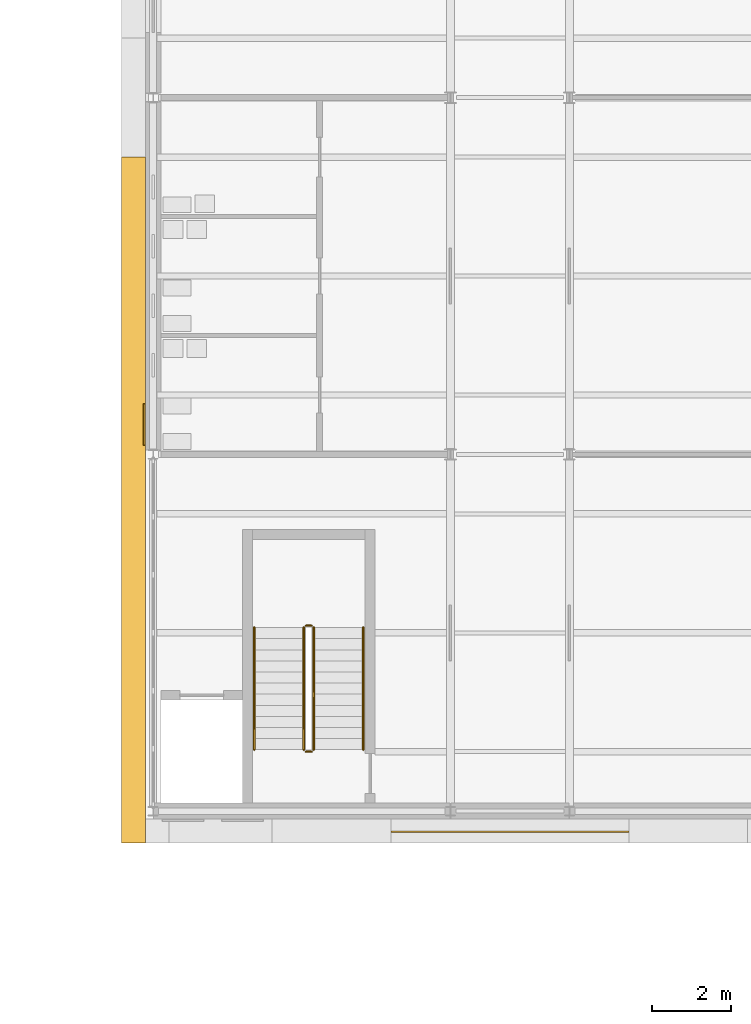
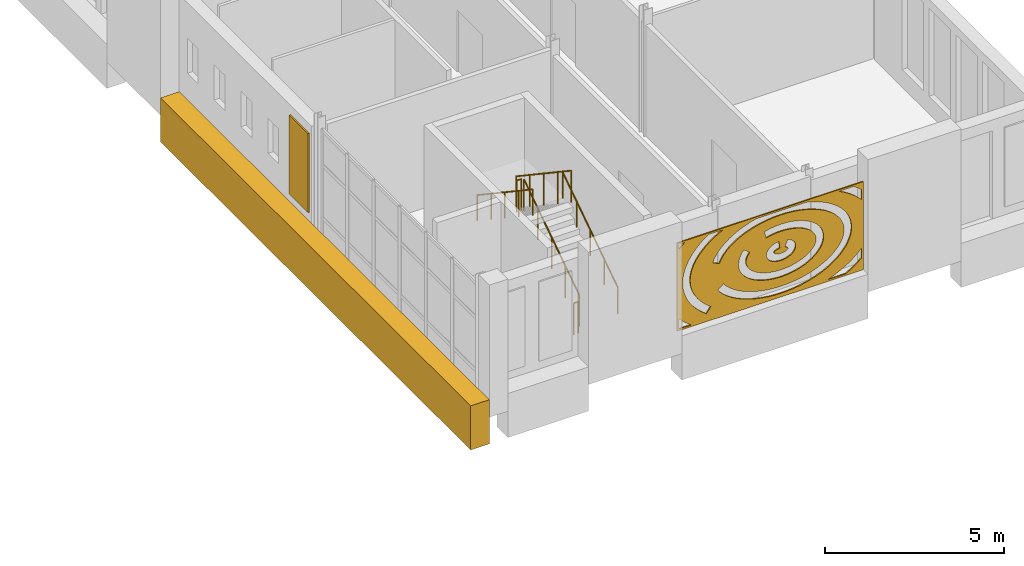
# One storey, part 109 of 131: 6 railings, 3 coverings.
"""IFC4 building model written with IfcOpenShell, lengths in metres."""

from ifc_helpers import new_model, si_unit, direction, frame, origin, origin_2d, place, context, subcontext, project, spatial, polyline, circle, outline, extrude, material, layer, layer_set, type_object, element, save


model = new_model("IFC4")

# Units and contexts
model_context = context("Model", 3, precision=1e-05, world=origin(), true_north=direction((0.0, 1.0)))
body_context = subcontext(model_context, "Body", "Model", "MODEL_VIEW")
ifc_project = project(units=[si_unit("LENGTHUNIT", "METRE"), si_unit("AREAUNIT", "SQUARE_METRE"), si_unit("VOLUMEUNIT", "CUBIC_METRE"), si_unit("PLANEANGLEUNIT", "RADIAN"), si_unit("MASSUNIT", "GRAM", prefix="KILO")], contexts=[model_context])

# Site, building, storey
site_placement = place(None, origin())
site = spatial("IfcSite", under=ifc_project, at=site_placement, CompositionType="ELEMENT")
building_placement = place(site_placement, origin())
building = spatial("IfcBuilding", under=site, at=building_placement, Name="Golden Quay Civic Hall", CompositionType="ELEMENT")
storey_placement = place(building_placement, frame((0.0, 0.0, 9.89990234375)))
storey = spatial("IfcBuildingStorey", under=building, at=storey_placement, Name="L02", CompositionType="ELEMENT", Elevation=9.89990234375)

# Covering
ifc_material_1 = material(Name="Aluminium, golden anodised, perforated", Category="aluminium")
ifc_layer_1 = layer(ifc_material_1, 0.0400390625)
ifc_layer_set_1 = layer_set([ifc_layer_1], Name="Perforated screen panel 6000 x 3000 x 40")
covering_type_1 = type_object("IfcCoveringType", Name="Perforated screen panel 6000 x 3000 x 40", PredefinedType="CLADDING", material=ifc_layer_set_1)
covering_1_placement = place(storey_placement, frame((63.0, -0.5, 2.10009765625), z_axis=(0.0, -1.0, 0.0), x_axis=(1.0, 0.0, 0.0)))
element("IfcCovering", 1, at=covering_1_placement, inside=storey, type_object=covering_type_1, Name="Perforated screen panel 6000 x 3000 x 40 L02 8", PredefinedType="CLADDING", context=body_context, shape_type="SweptSolid", body=[
    extrude(outline(polyline([(-3.0, -1.5), (3.0, -1.5), (3.0, 1.5), (-3.0, 1.5), (-3.0, -1.5)]), holes=[polyline([(0.258056640625, 0.16650390625), (0.1943359375, 0.14599609375), (0.162109375, 0.12841796875), (0.139404296875, 0.110595703125), (0.126708984375, 0.095458984375), (0.120849609375, 0.080078125), (0.1259765625, 0.065673828125), (0.1376953125, 0.051025390625), (0.174072265625, 0.0244140625), (0.210205078125, 0.007568359375), (0.277587890625, -0.010498046875), (0.327880859375, -0.015869140625), (0.379150390625, -0.015380859375), (0.45263671875, -0.004150390625), (0.495361328125, 0.009765625), (0.544189453125, 0.035888671875), (0.564453125, 0.05322265625), (0.574951171875, 0.0673828125), (0.5791015625, 0.07861328125), (0.57568359375, 0.09130859375), (0.55810546875, 0.11279296875), (0.5341796875, 0.130859375), (0.4765625, 0.1572265625), (0.562744140625, 0.38232421875), (0.633056640625, 0.351806640625), (0.68798828125, 0.317626953125), (0.742431640625, 0.269287109375), (0.77392578125, 0.22900390625), (0.801513671875, 0.176513671875), (0.816650390625, 0.123291015625), (0.81982421875, 0.064697265625), (0.810302734375, 0.009521484375), (0.797607421875, -0.02587890625), (0.780517578125, -0.05859375), (0.759765625, -0.0888671875), (0.735595703125, -0.1162109375), (0.708984375, -0.14111328125), (0.6572265625, -0.177978515625), (0.581298828125, -0.21533203125), (0.54541015625, -0.22802734375), (0.477294921875, -0.245361328125), (0.3916015625, -0.256103515625), (0.319091796875, -0.256591796875), (0.272705078125, -0.2529296875), (0.2021484375, -0.240966796875), (0.164794921875, -0.231201171875), (0.093505859375, -0.20458984375), (0.0283203125, -0.1689453125), (-0.02880859375, -0.123291015625), (-0.06201171875, -0.085693359375), (-0.093505859375, -0.034912109375), (-0.1123046875, 0.016357421875), (-0.1201171875, 0.074462890625), (-0.115234375, 0.130615234375), (-0.097412109375, 0.186767578125), (-0.0712890625, 0.23291015625), (-0.03271484375, 0.279296875), (0.025390625, 0.326904296875), (0.066162109375, 0.351318359375), (0.135009765625, 0.381591796875), (0.201904296875, 0.40087890625), (0.27978515625, 0.413818359375), (0.310546875, 0.1748046875), (0.258056640625, 0.16650390625)]), polyline([(-0.724609375, 0.27685546875), (-0.746826171875, 0.232421875), (-0.76318359375, 0.187744140625), (-0.773681640625, 0.143310546875), (-0.77880859375, 0.09912109375), (-0.778564453125, 0.05517578125), (-0.772705078125, 0.010986328125), (-0.761474609375, -0.033447265625), (-0.744384765625, -0.078125), (-0.721435546875, -0.122802734375), (-0.6923828125, -0.167236328125), (-0.6572265625, -0.211181640625), (-0.61572265625, -0.254150390625), (-0.568603515625, -0.2958984375), (-0.515380859375, -0.3359375), (-0.456787109375, -0.373779296875), (-0.392822265625, -0.409423828125), (-0.32421875, -0.44189453125), (-0.251220703125, -0.4716796875), (-0.17431640625, -0.497802734375), (-0.093994140625, -0.5205078125), (-0.010986328125, -0.539306640625), (0.07470703125, -0.55419921875), (0.161865234375, -0.565185546875), (0.250244140625, -0.572021484375), (0.339599609375, -0.574462890625), (0.4287109375, -0.572998046875), (0.517333984375, -0.567138671875), (0.60498046875, -0.55712890625), (0.69091796875, -0.543212890625), (0.774658203125, -0.525146484375), (0.855712890625, -0.50341796875), (0.933349609375, -0.47802734375), (1.00732421875, -0.44921875), (1.0771484375, -0.417236328125), (1.14208984375, -0.382568359375), (1.201904296875, -0.34521484375), (1.256591796875, -0.305419921875), (1.30517578125, -0.26416015625), (1.347900390625, -0.221435546875), (1.384521484375, -0.177490234375), (1.4150390625, -0.13330078125), (1.439453125, -0.088623046875), (1.4580078125, -0.0439453125), (1.470458984375, 0.00048828125), (1.4775390625, 0.044677734375), (1.479248046875, 0.0888671875), (1.475341796875, 0.1328125), (1.46630859375, 0.17724609375), (1.451171875, 0.2216796875), (1.430419921875, 0.266357421875), (1.40380859375, 0.310791015625), (1.370849609375, 0.35498046875), (1.331787109375, 0.3984375), (1.28662109375, 0.44091796875), (1.235595703125, 0.4814453125), (1.178955078125, 0.520263671875), (1.116943359375, 0.556640625), (1.0498046875, 0.59033203125), (0.978515625, 0.62109375), (0.90283203125, 0.648681640625), (0.82373046875, 0.672607421875), (0.74169921875, 0.69287109375), (0.656982421875, 0.709228515625), (0.5703125, 0.7216796875), (0.482177734375, 0.72998046875), (0.393310546875, 0.73388671875), (0.303955078125, 0.73388671875), (0.215087890625, 0.729736328125), (0.126953125, 0.72119140625), (0.040283203125, 0.708740234375), (-0.044189453125, 0.692138671875), (-0.12939453125, 0.671142578125), (-0.1875, 0.90478515625), (-0.093505859375, 0.927978515625), (0.0029296875, 0.94677734375), (0.101318359375, 0.960693359375), (0.195068359375, 0.9697265625), (0.29541015625, 0.974609375), (0.39599609375, 0.974853515625), (0.49609375, 0.970458984375), (0.595703125, 0.961181640625), (0.69970703125, 0.9462890625), (0.790283203125, 0.9287109375), (0.884521484375, 0.90576171875), (0.975830078125, 0.878173828125), (1.0703125, 0.84375), (1.1484375, 0.810302734375), (1.228759765625, 0.77001953125), (1.304443359375, 0.725830078125), (1.375244140625, 0.677978515625), (1.4404296875, 0.626220703125), (1.50732421875, 0.5634765625), (1.560546875, 0.50341796875), (1.600341796875, 0.4501953125), (1.64013671875, 0.385009765625), (1.672607421875, 0.317138671875), (1.700439453125, 0.2333984375), (1.71484375, 0.16064453125), (1.72021484375, 0.08740234375), (1.716552734375, 0.013916015625), (1.7041015625, -0.05859375), (1.68310546875, -0.129638671875), (1.65966796875, -0.1865234375), (1.62353515625, -0.254150390625), (1.572998046875, -0.327880859375), (1.522216796875, -0.387939453125), (1.46484375, -0.444580078125), (1.408935546875, -0.4921875), (1.333251953125, -0.54736328125), (1.259521484375, -0.593017578125), (1.1875, -0.63134765625), (1.09814453125, -0.672607421875), (1.011474609375, -0.7060546875), (0.921142578125, -0.7353515625), (0.833984375, -0.7587890625), (0.732666015625, -0.780517578125), (0.635009765625, -0.796142578125), (0.54150390625, -0.806884765625), (0.435791015625, -0.813720703125), (0.341064453125, -0.8154296875), (0.240478515625, -0.8125), (0.135009765625, -0.804443359375), (0.041748046875, -0.79296875), (-0.055419921875, -0.776123046875), (-0.150390625, -0.754638671875), (-0.242919921875, -0.728759765625), (-0.33837890625, -0.696044921875), (-0.41796875, -0.6640625), (-0.499755859375, -0.625244140625), (-0.583984375, -0.578369140625), (-0.64990234375, -0.535888671875), (-0.71728515625, -0.485595703125), (-0.7861328125, -0.424560546875), (-0.834716796875, -0.3740234375), (-0.884033203125, -0.313232421875), (-0.9326171875, -0.23828125), (-0.961669921875, -0.182373046875), (-0.989013671875, -0.113037109375), (-1.010498046875, -0.027587890625), (-1.018310546875, 0.031005859375), (-1.019775390625, 0.1044921875), (-1.009765625, 0.192138671875), (-0.99169921875, 0.263916015625), (-0.970703125, 0.3212890625), (-0.931396484375, 0.400634765625), (-0.889892578125, 0.465087890625), (-0.8486328125, 0.51806640625), (-0.65869140625, 0.36962890625), (-0.696533203125, 0.3212890625), (-0.724609375, 0.27685546875)]), polyline([(-1.382568359375, -0.546630859375), (-1.3115234375, -0.611572265625), (-1.2333984375, -0.673828125), (-1.1484375, -0.7333984375), (-1.05712890625, -0.789794921875), (-0.959716796875, -0.843017578125), (-0.856201171875, -0.89208984375), (-0.747802734375, -0.937255859375), (-0.634521484375, -0.978271484375), (-0.51708984375, -1.0146484375), (-0.3955078125, -1.04638671875), (-0.27099609375, -1.073486328125), (-0.143798828125, -1.095703125), (-0.014404296875, -1.112548828125), (0.11669921875, -1.12451171875), (0.248779296875, -1.131103515625), (0.38134765625, -1.13232421875), (0.513671875, -1.12841796875), (0.645263671875, -1.119384765625), (0.775634765625, -1.105224609375), (0.904052734375, -1.085693359375), (1.0302734375, -1.061279296875), (1.1533203125, -1.031982421875), (1.27294921875, -0.998046875), (1.388671875, -0.95947265625), (1.499755859375, -0.91650390625), (1.605712890625, -0.869384765625), (1.706298828125, -0.818359375), (1.801025390625, -0.763671875), (1.889404296875, -0.705810546875), (1.97119140625, -0.644775390625), (2.0458984375, -0.581298828125), (2.113525390625, -0.51513671875), (2.173583984375, -0.447509765625), (2.22607421875, -0.3779296875), (2.270751953125, -0.307373046875), (2.3076171875, -0.236083984375), (2.3369140625, -0.163818359375), (2.3583984375, -0.091552734375), (2.37255859375, -0.018798828125), (2.37890625, 0.0537109375), (2.3779296875, 0.12646484375), (2.369384765625, 0.19921875), (2.353271484375, 0.271728515625), (2.32958984375, 0.343994140625), (2.298095703125, 0.416015625), (2.259033203125, 0.4873046875), (2.212158203125, 0.5576171875), (2.157470703125, 0.62646484375), (2.095458984375, 0.69384765625), (2.02587890625, 0.75927734375), (1.94921875, 0.822021484375), (1.865478515625, 0.882080078125), (1.775146484375, 0.939208984375), (1.6787109375, 0.992919921875), (1.57666015625, 1.04296875), (1.468994140625, 1.0888671875), (1.356689453125, 1.130615234375), (1.239990234375, 1.168212890625), (1.119384765625, 1.20068359375), (0.995361328125, 1.228759765625), (0.868408203125, 1.251708984375), (0.739501953125, 1.269775390625), (0.608642578125, 1.282470703125), (0.476806640625, 1.2900390625), (0.34423828125, 1.29248046875), (0.2119140625, 1.289794921875), (0.080078125, 1.281494140625), (-0.05078125, 1.268310546875), (-0.1796875, 1.25), (-0.30615234375, 1.2265625), (-0.429931640625, 1.197998046875), (-0.55029296875, 1.1650390625), (-0.666748046875, 1.127197265625), (-0.77880859375, 1.085205078125), (-0.8857421875, 1.038818359375), (-0.9873046875, 0.988525390625), (-1.083251953125, 0.9345703125), (-1.173095703125, 0.877197265625), (-1.256103515625, 0.816650390625), (-1.33203125, 0.753662109375), (-1.401123046875, 0.68798828125), (-1.462646484375, 0.62060546875), (-1.5166015625, 0.551513671875), (-1.562744140625, 0.481201171875), (-1.60107421875, 0.409912109375), (-1.634033203125, 0.33251953125), (-1.855712890625, 0.42724609375), (-1.81591796875, 0.519287109375), (-1.766845703125, 0.60888671875), (-1.70947265625, 0.69580078125), (-1.649658203125, 0.7724609375), (-1.576171875, 0.853515625), (-1.4951171875, 0.930908203125), (-1.40673828125, 1.004638671875), (-1.311767578125, 1.07421875), (-1.210205078125, 1.13916015625), (-1.102783203125, 1.199951171875), (-0.98974609375, 1.256103515625), (-0.87158203125, 1.307373046875), (-0.748779296875, 1.353759765625), (-0.6220703125, 1.39501953125), (-0.452880859375, 1.43994140625), (1.153564453125, 1.43994140625), (1.310791015625, 1.398193359375), (1.432861328125, 1.359375), (1.555908203125, 1.313720703125), (1.67431640625, 1.26318359375), (1.78759765625, 1.2080078125), (1.895263671875, 1.148193359375), (1.997314453125, 1.083984375), (2.0927734375, 1.015380859375), (2.181640625, 0.94287109375), (2.269287109375, 0.8603515625), (2.337646484375, 0.78662109375), (2.404052734375, 0.703125), (2.46240234375, 0.61669921875), (2.511962890625, 0.527099609375), (2.556640625, 0.424560546875), (2.583984375, 0.34130859375), (2.605712890625, 0.245361328125), (2.61865234375, 0.13623046875), (2.619384765625, 0.038818359375), (2.610107421875, -0.058349609375), (2.591064453125, -0.154541015625), (2.566162109375, -0.23828125), (2.52880859375, -0.331787109375), (2.47705078125, -0.431884765625), (2.421142578125, -0.519287109375), (2.36279296875, -0.596435546875), (2.284912109375, -0.6845703125), (2.205078125, -0.761962890625), (2.118408203125, -0.835693359375), (2.030517578125, -0.90087890625), (1.92431640625, -0.970703125), (1.818115234375, -1.03173828125), (1.706298828125, -1.08837890625), (1.5947265625, -1.1376953125), (1.467529296875, -1.18701171875), (1.341552734375, -1.22900390625), (1.216796875, -1.264404296875), (1.07861328125, -1.29736328125), (0.9423828125, -1.323486328125), (0.80908203125, -1.34375), (0.664306640625, -1.359619140625), (0.52294921875, -1.369140625), (0.385986328125, -1.373291015625), (0.239013671875, -1.37158203125), (0.102294921875, -1.36474609375), (-0.038330078125, -1.352294921875), (-0.182373046875, -1.33349609375), (-0.314697265625, -1.310546875), (-0.44921875, -1.281494140625), (-0.585693359375, -1.24560546875), (-0.70849609375, -1.20751953125), (-0.83251953125, -1.162841796875), (-0.957275390625, -1.11083984375), (-1.066162109375, -1.05908203125), (-1.175048828125, -1.0), (-1.278076171875, -0.9365234375), (-1.375, -0.868896484375), (-1.47119140625, -0.7919921875), (-1.548095703125, -0.7216796875), (-1.623779296875, -0.64208984375), (-1.69189453125, -0.5595703125), (-1.505126953125, -0.4072265625), (-1.446044921875, -0.4794921875), (-1.382568359375, -0.546630859375)]), polyline([(1.931396484375, -1.407958984375), (2.066162109375, -1.35205078125), (2.19580078125, -1.291748046875), (2.3193359375, -1.22705078125), (2.436767578125, -1.15869140625), (2.547607421875, -1.086669921875), (2.6513671875, -1.010986328125), (2.747802734375, -0.932373046875), (2.8369140625, -0.85107421875), (2.93994140625, -0.741455078125), (2.93994140625, -1.083251953125), (2.80078125, -1.199951171875), (2.681640625, -1.28662109375), (2.560791015625, -1.365234375), (2.43212890625, -1.43994140625), (1.843994140625, -1.43994140625), (1.931396484375, -1.407958984375)]), polyline([(2.88818359375, 0.958984375), (2.80419921875, 1.042236328125), (2.712158203125, 1.12255859375), (2.61279296875, 1.199951171875), (2.50634765625, 1.2744140625), (2.39306640625, 1.34521484375), (2.21728515625, 1.43994140625), (2.68994140625, 1.43994140625), (2.75341796875, 1.395751953125), (2.863037109375, 1.310302734375), (2.93994140625, 1.243408203125), (2.93994140625, 0.9013671875), (2.88818359375, 0.958984375)]), polyline([(-1.6171875, 1.388427734375), (-1.734619140625, 1.320068359375), (-1.845703125, 1.247802734375), (-1.949462890625, 1.172607421875), (-2.046142578125, 1.093994140625), (-2.135498046875, 1.012451171875), (-2.216796875, 0.9287109375), (-2.2900390625, 0.842529296875), (-2.35546875, 0.754638671875), (-2.412353515625, 0.665283203125), (-2.461181640625, 0.574462890625), (-2.50146484375, 0.48291015625), (-2.533203125, 0.390380859375), (-2.556884765625, 0.297607421875), (-2.572021484375, 0.2041015625), (-2.5791015625, 0.11083984375), (-2.57763671875, 0.017333984375), (-2.56787109375, -0.076171875), (-2.5498046875, -0.169189453125), (-2.5234375, -0.261962890625), (-2.488525390625, -0.354248046875), (-2.4453125, -0.445556640625), (-2.393798828125, -0.535888671875), (-2.333984375, -0.625), (-2.26611328125, -0.712158203125), (-2.189697265625, -0.797607421875), (-2.105712890625, -0.880615234375), (-2.013916015625, -0.961181640625), (-1.912353515625, -1.04052734375), (-2.060546875, -1.23046875), (-2.17041015625, -1.14453125), (-2.2724609375, -1.054443359375), (-2.366943359375, -0.960693359375), (-2.45361328125, -0.863525390625), (-2.526611328125, -0.769775390625), (-2.59619140625, -0.666748046875), (-2.656982421875, -0.56103515625), (-2.70849609375, -0.45263671875), (-2.75048828125, -0.34228515625), (-2.782958984375, -0.230224609375), (-2.806884765625, -0.106201171875), (-2.818359375, 0.00830078125), (-2.819580078125, 0.123291015625), (-2.810791015625, 0.23779296875), (-2.793701171875, 0.34130859375), (-2.765625, 0.45458984375), (-2.7275390625, 0.566162109375), (-2.6796875, 0.67578125), (-2.617919921875, 0.791015625), (-2.551513671875, 0.894775390625), (-2.47607421875, 0.995849609375), (-2.392333984375, 1.093505859375), (-2.300537109375, 1.18798828125), (-2.2060546875, 1.274169921875), (-2.098876953125, 1.361572265625), (-1.9912109375, 1.43994140625), (-1.51806640625, 1.43994140625), (-1.6171875, 1.388427734375)]), polyline([(-2.8173828125, 1.384033203125), (-2.91796875, 1.289306640625), (-2.93994140625, 1.26611328125), (-2.93994140625, 1.43994140625), (-2.751708984375, 1.43994140625), (-2.8173828125, 1.384033203125)]), polyline([(-2.93994140625, -1.10595703125), (-2.81689453125, -1.224609375), (-2.708740234375, -1.316650390625), (-2.543701171875, -1.43994140625), (-2.935302734375, -1.43994140625), (-2.93994140625, -1.43603515625), (-2.93994140625, -1.10595703125)])]), origin(), (0.0, 0.0, 1.0), 0.0400390625),
])

# Railings
ifc_material_2 = material(Name="Steel S355", Category="steel")
railing_type_1 = type_object("IfcRailingType", Name="Steel guard 1100", PredefinedType="GUARDRAIL", material=ifc_material_2)
railing_1_placement = place(storey_placement, frame((58.050048828125, 1.550048828125, 0.1875)))
element("IfcRailing", 2, at=railing_1_placement, inside=storey, type_object=railing_type_1, Name="L02 WM-S stair guard 1", PredefinedType="GUARDRAIL", context=body_context, shape_type="SweptSolid", body=[
    extrude(circle(Radius=0.02392578125, at=origin_2d()), frame((0.0, 0.0, 1.076171875), z_axis=(0.0, 0.830893310487, 0.556431762742), x_axis=(-1.0, 0.0, 0.0)), (0.0, 0.0, 1.0), 3.70654296875),
    extrude(circle(Radius=0.02099609375, at=origin_2d()), origin(), (0.0, 0.0, 1.0), 1.052001953125),
    extrude(circle(Radius=0.02099609375, at=origin_2d()), frame((0.0, 0.77001953125, 0.515625)), (0.0, 0.0, 1.0), 1.052001953125),
    extrude(circle(Radius=0.02099609375, at=origin_2d()), frame((0.0, 1.5400390625, 1.03125)), (0.0, 0.0, 1.0), 1.052001953125),
    extrude(circle(Radius=0.02099609375, at=origin_2d()), frame((0.0, 2.309814453125, 1.546875)), (0.0, 0.0, 1.0), 1.052001953125),
    extrude(circle(Radius=0.02099609375, at=origin_2d()), frame((0.0, 3.079833984375, 2.0625)), (0.0, 0.0, 1.0), 1.052001953125),
])
railing_2_placement = place(storey_placement, frame((58.0, 4.679931640625, 2.25)))
element("IfcRailing", 3, at=railing_2_placement, inside=storey, type_object=railing_type_1, Name="L02 WM-S stair guard 2", PredefinedType="GUARDRAIL", context=body_context, shape_type="SweptSolid", body=[
    extrude(circle(Radius=0.02392578125, at=origin_2d()), frame((0.0, 0.0, 1.076171875), z_axis=(-1.0, 0.0, 0.0), x_axis=(0.0, -1.0, 0.0)), (0.0, 0.0, 1.0), 0.14990234375),
    extrude(circle(Radius=0.02099609375, at=origin_2d()), origin(), (0.0, 0.0, 1.0), 1.052001953125),
    extrude(circle(Radius=0.02099609375, at=origin_2d()), frame((-0.14990234375, 0.0, 0.0)), (0.0, 0.0, 1.0), 1.052001953125),
])
railing_3_placement = place(storey_placement, frame((57.800048828125, 4.6298828125, 2.4375)))
element("IfcRailing", 4, at=railing_3_placement, inside=storey, type_object=railing_type_1, Name="L02 WM-S stair guard 3", PredefinedType="GUARDRAIL", context=body_context, shape_type="SweptSolid", body=[
    extrude(circle(Radius=0.02392578125, at=origin_2d()), frame((0.0, 0.0, 1.076171875), z_axis=(0.0, -0.830893310487, 0.556431762742), x_axis=(1.0, 0.0, 0.0)), (0.0, 0.0, 1.0), 3.70654296875),
    extrude(circle(Radius=0.02099609375, at=origin_2d()), origin(), (0.0, 0.0, 1.0), 1.052001953125),
    extrude(circle(Radius=0.02099609375, at=origin_2d()), frame((0.0, -0.77001953125, 0.515625)), (0.0, 0.0, 1.0), 1.052001953125),
    extrude(circle(Radius=0.02099609375, at=origin_2d()), frame((0.0, -1.5400390625, 1.03125)), (0.0, 0.0, 1.0), 1.052001953125),
    extrude(circle(Radius=0.02099609375, at=origin_2d()), frame((0.0, -2.309814453125, 1.546875)), (0.0, 0.0, 1.0), 1.052001953125),
    extrude(circle(Radius=0.02099609375, at=origin_2d()), frame((0.0, -3.079833984375, 2.0625)), (0.0, 0.0, 1.0), 1.052001953125),
])
railing_4_placement = place(storey_placement, frame((58.0, 1.5, 0.0)))
element("IfcRailing", 5, at=railing_4_placement, inside=storey, type_object=railing_type_1, Name="L02 WM-S stair guard 4", PredefinedType="GUARDRAIL", context=body_context, shape_type="SweptSolid", body=[
    extrude(circle(Radius=0.02392578125, at=origin_2d()), frame((0.0, 0.0, 1.076171875), z_axis=(-1.0, 0.0, 0.0), x_axis=(0.0, -1.0, 0.0)), (0.0, 0.0, 1.0), 0.14990234375),
    extrude(circle(Radius=0.02099609375, at=origin_2d()), origin(), (0.0, 0.0, 1.0), 1.052001953125),
    extrude(circle(Radius=0.02099609375, at=origin_2d()), frame((-0.14990234375, 0.0, 0.0)), (0.0, 0.0, 1.0), 1.052001953125),
])
ifc_material_3 = material(Name="Steel S355", Category="steel")
railing_type_2 = type_object("IfcRailingType", Name="Steel handrail 900", PredefinedType="HANDRAIL", material=ifc_material_3)
railing_5_placement = place(storey_placement, frame((59.300048828125, 1.550048828125, 0.1875)))
element("IfcRailing", 6, at=railing_5_placement, inside=storey, type_object=railing_type_2, Name="L02 WM-S stair handrail 1", PredefinedType="HANDRAIL", context=body_context, shape_type="SweptSolid", body=[
    extrude(circle(Radius=0.02392578125, at=origin_2d()), frame((0.0, 0.0, 0.8759765625), z_axis=(0.0, 0.830893310487, 0.556431762742), x_axis=(-1.0, 0.0, 0.0)), (0.0, 0.0, 1.0), 3.70654296875),
    extrude(circle(Radius=0.02099609375, at=origin_2d()), origin(), (0.0, 0.0, 1.0), 0.851806640625),
    extrude(circle(Radius=0.02099609375, at=origin_2d()), frame((0.0, 0.77001953125, 0.515625)), (0.0, 0.0, 1.0), 0.851806640625),
    extrude(circle(Radius=0.02099609375, at=origin_2d()), frame((0.0, 1.5400390625, 1.03125)), (0.0, 0.0, 1.0), 0.851806640625),
    extrude(circle(Radius=0.02099609375, at=origin_2d()), frame((0.0, 2.309814453125, 1.546875)), (0.0, 0.0, 1.0), 0.851806640625),
    extrude(circle(Radius=0.02099609375, at=origin_2d()), frame((0.0, 3.079833984375, 2.0625)), (0.0, 0.0, 1.0), 0.851806640625),
])
railing_6_placement = place(storey_placement, frame((56.550048828125, 4.6298828125, 2.4375)))
element("IfcRailing", 7, at=railing_6_placement, inside=storey, type_object=railing_type_2, Name="L02 WM-S stair handrail 2", PredefinedType="HANDRAIL", context=body_context, shape_type="SweptSolid", body=[
    extrude(circle(Radius=0.02392578125, at=origin_2d()), frame((0.0, 0.0, 0.8759765625), z_axis=(0.0, -0.830893310487, 0.556431762742), x_axis=(1.0, 0.0, 0.0)), (0.0, 0.0, 1.0), 3.70654296875),
    extrude(circle(Radius=0.02099609375, at=origin_2d()), origin(), (0.0, 0.0, 1.0), 0.851806640625),
    extrude(circle(Radius=0.02099609375, at=origin_2d()), frame((0.0, -0.77001953125, 0.515625)), (0.0, 0.0, 1.0), 0.851806640625),
    extrude(circle(Radius=0.02099609375, at=origin_2d()), frame((0.0, -1.5400390625, 1.03125)), (0.0, 0.0, 1.0), 0.851806640625),
    extrude(circle(Radius=0.02099609375, at=origin_2d()), frame((0.0, -2.309814453125, 1.546875)), (0.0, 0.0, 1.0), 0.851806640625),
    extrude(circle(Radius=0.02099609375, at=origin_2d()), frame((0.0, -3.079833984375, 2.0625)), (0.0, 0.0, 1.0), 0.851806640625),
])

# Coverings
ifc_material_4 = material(Name="Terracotta cladding, golden glaze", Category="masonry")
ifc_layer_2 = layer(ifc_material_4, 0.050048828125)
ifc_layer_set_2 = layer_set([ifc_layer_2], Name="Terracotta solid panel 1050 x 2700 x 50")
covering_type_2 = type_object("IfcCoveringType", Name="Terracotta solid panel 1050 x 2700 x 50", PredefinedType="CLADDING", material=ifc_layer_set_2)
covering_2_placement = place(storey_placement, frame((0.0, 0.0, 0.900146484375)))
element("IfcCovering", 8, at=covering_2_placement, inside=storey, type_object=covering_type_2, Name="Terracotta solid panel 1050 x 2700 x 50 L02 16", PredefinedType="CLADDING", context=body_context, shape_type="SweptSolid", body=[
    extrude(outline(polyline([(53.800048828125, 9.22509765625), (53.800048828125, 10.27490234375), (53.75, 10.27490234375), (53.75, 9.22509765625), (53.800048828125, 9.22509765625)])), origin(), (0.0, 0.0, 1.0), 2.699951171875),
])
ifc_material_5 = material(Name="Terracotta cladding, golden glaze", Category="masonry")
covering_type_3 = type_object("IfcCoveringType", Name="Terracotta spandrel fascia 600 x 1500", PredefinedType="CLADDING", material=ifc_material_5)
covering_3_placement = place(storey_placement, frame((0.0, 0.0, -0.89990234375)))
element("IfcCovering", 9, at=covering_3_placement, inside=storey, type_object=covering_type_3, Name="Terracotta spandrel fascia 600 x 1500 L02 6", PredefinedType="CLADDING", context=body_context, shape_type="SweptSolid", body=[
    extrude(outline(polyline([(53.800048828125, -0.800048828125), (53.199951171875, -0.800048828125), (53.199951171875, 16.5), (53.800048828125, 16.5), (53.800048828125, -0.199951171875), (53.800048828125, -0.800048828125)])), origin(), (0.0, 0.0, 1.0), 1.5),
])

save(model, "model.ifc")
